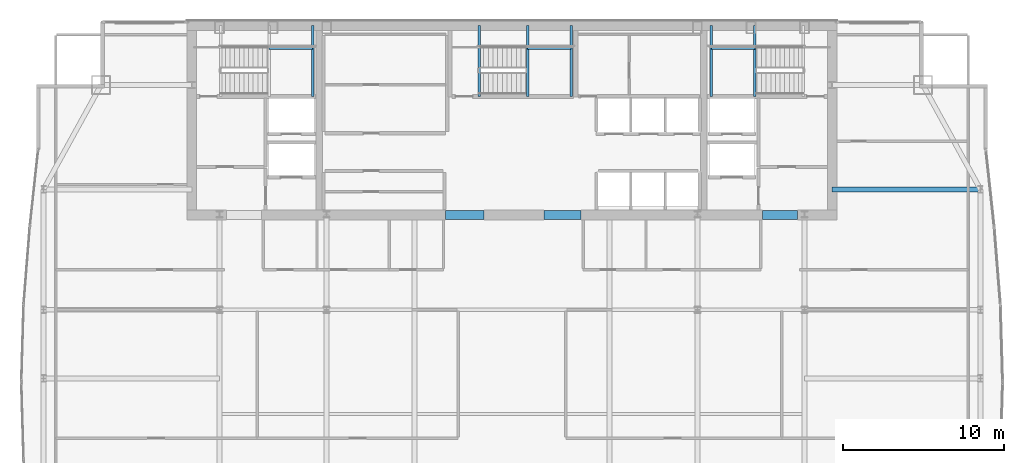
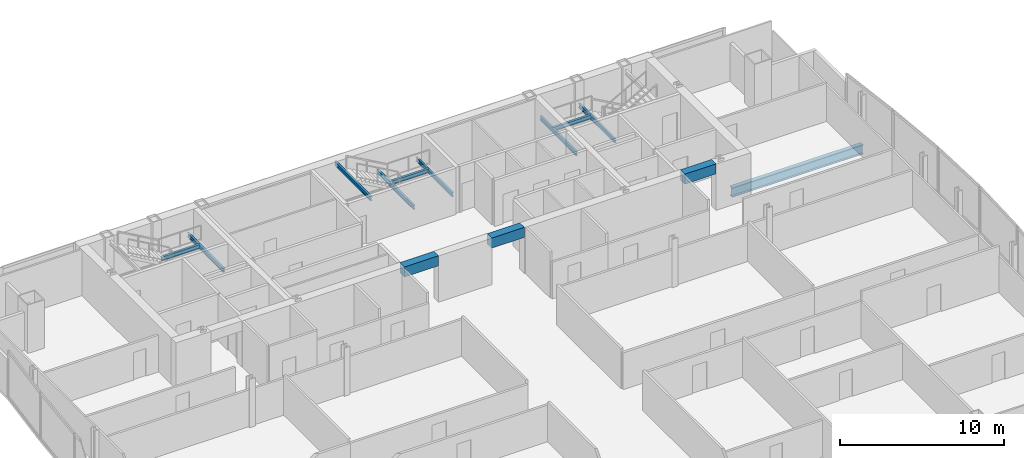
# One storey, part 24 of 32: 13 beams.
"""IFC4 building model written with IfcOpenShell, lengths in metres."""

from ifc_helpers import new_model, si_unit, direction, frame, origin, origin_2d, place, context, subcontext, project, spatial, rectangle, i_section, extrude, material, material_profile, profile_set, type_object, element, save


model = new_model("IFC4")

# Units and contexts
model_context = context("Model", 3, precision=1e-05, world=origin(), true_north=direction((0.0, 1.0)))
body_context = subcontext(model_context, "Body", "Model", "MODEL_VIEW")
ifc_project = project(units=[si_unit("LENGTHUNIT", "METRE"), si_unit("AREAUNIT", "SQUARE_METRE"), si_unit("VOLUMEUNIT", "CUBIC_METRE"), si_unit("PLANEANGLEUNIT", "RADIAN"), si_unit("MASSUNIT", "GRAM", prefix="KILO")], contexts=[model_context])

# Site, building, storey
site_placement = place(None, origin())
site = spatial("IfcSite", under=ifc_project, at=site_placement, CompositionType="ELEMENT")
building_placement = place(site_placement, origin())
building = spatial("IfcBuilding", under=site, at=building_placement, Name="Khoronbel Lancet Exchange", CompositionType="ELEMENT")
storey_placement = place(building_placement, frame((0.0, 0.0, 192.199951171875)))
storey = spatial("IfcBuildingStorey", under=building, at=storey_placement, Name="L48", CompositionType="ELEMENT", Elevation=192.199951171875)

# Beams
ifc_material_1 = material(Name="Steel S355", Category="steel")
ifc_material_profile_1 = material_profile(ifc_material_1, i_section(OverallWidth=0.300048828125, OverallDepth=0.699951171875, WebThickness=0.01708984375, FlangeThickness=0.031982421875, at=origin_2d()), Name="HEB 700")
ifc_profile_set_1 = profile_set([ifc_material_profile_1], Name="Steel S355")
beam_type_1 = type_object("IfcBeamType", Name="BM-BG3", PredefinedType="BEAM", material=ifc_profile_set_1)
beam_1_placement = place(storey_placement, frame((56.39990234375, 43.199951171875, -0.510009765625), z_axis=(1.0, 0.0, 0.0), x_axis=(0.0, 1.0, 0.0)))
element("IfcBeam", 1, at=beam_1_placement, inside=storey, type_object=beam_type_1, Name="Level L48 east lens tie girder LG3E", PredefinedType="BEAM", context=body_context, shape_type="SweptSolid", body=[
    extrude(i_section(OverallWidth=0.300048828125, OverallDepth=0.699951171875, WebThickness=0.01708984375, FlangeThickness=0.031982421875, at=origin_2d()), origin(), (0.0, 0.0, 1.0), 9.22998046875),
])
ifc_material_profile_2 = material_profile(ifc_material_1, i_section(OverallWidth=0.14990234375, OverallDepth=0.300048828125, WebThickness=0.007080078125, FlangeThickness=0.0107421875, at=origin_2d()), Name="IPE 300")
ifc_profile_set_2 = profile_set([ifc_material_profile_2], Name="Steel S355")
beam_type_2 = type_object("IfcBeamType", Name="BM-BJ8", PredefinedType="JOIST", material=ifc_profile_set_2)
beam_2_placement = place(storey_placement, frame((24.030029296875, 48.97998046875, 1.449951171875), z_axis=(0.0, 1.0, 0.0), x_axis=(-1.0, 0.0, 0.0)))
element("IfcBeam", 2, at=beam_2_placement, inside=storey, type_object=beam_type_2, Name="Level L48 stair ST1 rear landing bearer beam 1", PredefinedType="JOIST", context=body_context, shape_type="SweptSolid", body=[
    extrude(i_section(OverallWidth=0.14990234375, OverallDepth=0.300048828125, WebThickness=0.007080078125, FlangeThickness=0.0107421875, at=origin_2d()), origin(), (0.0, 0.0, 1.0), 4.419921875),
])
beam_3_placement = place(storey_placement, frame((21.320068359375, 51.97998046875, 1.449951171875), z_axis=(1.0, 0.0, 0.0), x_axis=(0.0, 1.0, 0.0)))
element("IfcBeam", 3, at=beam_3_placement, inside=storey, type_object=beam_type_2, Name="Level L48 stair ST1 landing cross trimmer beam 1", PredefinedType="JOIST", context=body_context, shape_type="SweptSolid", body=[
    extrude(i_section(OverallWidth=0.14990234375, OverallDepth=0.300048828125, WebThickness=0.007080078125, FlangeThickness=0.0107421875, at=origin_2d()), origin(), (0.0, 0.0, 1.0), 2.7099609375),
])
for number, where, z_axis, x_axis, name in (
    (4, (51.580078125, 48.97998046875, 1.449951171875), (0.0, 1.0, 0.0), (-1.0, 0.0, 0.0), "Level L48 stair ST2 landing bearer beam 1"),
    (5, (48.8701171875, 48.97998046875, 1.449951171875), (0.0, 1.0, 0.0), (-1.0, 0.0, 0.0), "Level L48 stair ST2 rear landing bearer beam 1"),
):
    element("IfcBeam", number, at=place(storey_placement, frame(where, z_axis=z_axis, x_axis=x_axis)), inside=storey, type_object=beam_type_2, Name=name, PredefinedType="JOIST", context=body_context, shape_type="SweptSolid", body=[
        extrude(i_section(OverallWidth=0.14990234375, OverallDepth=0.300048828125, WebThickness=0.007080078125, FlangeThickness=0.0107421875, at=origin_2d()), origin(), (0.0, 0.0, 1.0), 4.419921875),
    ])
beam_4_placement = place(storey_placement, frame((48.8701171875, 51.97998046875, 1.449951171875), z_axis=(1.0, 0.0, 0.0), x_axis=(0.0, 1.0, 0.0)))
element("IfcBeam", 6, at=beam_4_placement, inside=storey, type_object=beam_type_2, Name="Level L48 stair ST2 landing cross trimmer beam 1", PredefinedType="JOIST", context=body_context, shape_type="SweptSolid", body=[
    extrude(i_section(OverallWidth=0.14990234375, OverallDepth=0.300048828125, WebThickness=0.007080078125, FlangeThickness=0.0107421875, at=origin_2d()), origin(), (0.0, 0.0, 1.0), 2.7099609375),
])
for number, where, z_axis, x_axis, name in (
    (7, (37.419921875, 48.97998046875, 1.449951171875), (0.0, 1.0, 0.0), (-1.0, 0.0, 0.0), "Level L48 stair ST3 landing bearer beam 1"),
    (8, (40.1298828125, 48.97998046875, 1.449951171875), (0.0, 1.0, 0.0), (-1.0, 0.0, 0.0), "Level L48 stair ST3 rear landing bearer beam 1"),
):
    element("IfcBeam", number, at=place(storey_placement, frame(where, z_axis=z_axis, x_axis=x_axis)), inside=storey, type_object=beam_type_2, Name=name, PredefinedType="JOIST", context=body_context, shape_type="SweptSolid", body=[
        extrude(i_section(OverallWidth=0.14990234375, OverallDepth=0.300048828125, WebThickness=0.007080078125, FlangeThickness=0.0107421875, at=origin_2d()), origin(), (0.0, 0.0, 1.0), 4.419921875),
    ])
beam_5_placement = place(storey_placement, frame((37.419921875, 51.97998046875, 1.449951171875), z_axis=(1.0, 0.0, 0.0), x_axis=(0.0, 1.0, 0.0)))
element("IfcBeam", 9, at=beam_5_placement, inside=storey, type_object=beam_type_2, Name="Level L48 stair ST3 landing cross trimmer beam 1", PredefinedType="JOIST", context=body_context, shape_type="SweptSolid", body=[
    extrude(i_section(OverallWidth=0.14990234375, OverallDepth=0.300048828125, WebThickness=0.007080078125, FlangeThickness=0.0107421875, at=origin_2d()), origin(), (0.0, 0.0, 1.0), 2.7099609375),
])
beam_6_placement = place(storey_placement, frame((34.39990234375, 48.97998046875, 3.16015625), z_axis=(0.0, 1.0, 0.0), x_axis=(-1.0, 0.0, 0.0)))
element("IfcBeam", 10, at=beam_6_placement, inside=storey, type_object=beam_type_2, Name="Level L48 stair ST3 upper-flight arrival trimmer beam", PredefinedType="JOIST", context=body_context, shape_type="SweptSolid", body=[
    extrude(i_section(OverallWidth=0.14990234375, OverallDepth=0.300048828125, WebThickness=0.007080078125, FlangeThickness=0.0107421875, at=origin_2d()), origin(), (0.0, 0.0, 1.0), 4.419921875),
])
ifc_material_2 = material(Name="Concrete C60/75", Category="concrete")
ifc_material_profile_3 = material_profile(ifc_material_2, rectangle(XDim=0.550048828125, YDim=0.75, at=origin_2d()), Name="RC 550x750")
ifc_profile_set_3 = profile_set([ifc_material_profile_3], Name="Concrete C60/75")
beam_type_3 = type_object("IfcBeamType", Name="BM-BL2", PredefinedType="LINTEL", material=ifc_profile_set_3)
beam_7_placement = place(storey_placement, frame((32.300048828125, 41.60009765625, 3.06494140625), z_axis=(1.0, 0.0, 0.0), x_axis=(0.0, 1.0, 0.0)))
element("IfcBeam", 11, at=beam_7_placement, inside=storey, type_object=beam_type_3, Name="Level L48 rear core coupling lintel L2", PredefinedType="LINTEL", context=body_context, shape_type="SweptSolid", body=[
    extrude(rectangle(XDim=0.550048828125, YDim=0.75, at=origin_2d()), origin(), (0.0, 0.0, 1.0), 2.39990234375),
])
beam_8_placement = place(storey_placement, frame((38.449951171875, 41.60009765625, 3.06494140625), z_axis=(1.0, 0.0, 0.0), x_axis=(0.0, 1.0, 0.0)))
element("IfcBeam", 12, at=beam_8_placement, inside=storey, type_object=beam_type_3, Name="Level L48 rear core coupling lintel L3", PredefinedType="LINTEL", context=body_context, shape_type="SweptSolid", body=[
    extrude(rectangle(XDim=0.550048828125, YDim=0.75, at=origin_2d()), origin(), (0.0, 0.0, 1.0), 2.300048828125),
])
beam_9_placement = place(storey_placement, frame((52.050048828125, 41.60009765625, 3.06494140625), z_axis=(1.0, 0.0, 0.0), x_axis=(0.0, 1.0, 0.0)))
element("IfcBeam", 13, at=beam_9_placement, inside=storey, type_object=beam_type_3, Name="Level L48 rear core coupling lintel L4", PredefinedType="LINTEL", context=body_context, shape_type="SweptSolid", body=[
    extrude(rectangle(XDim=0.550048828125, YDim=0.75, at=origin_2d()), origin(), (0.0, 0.0, 1.0), 2.199951171875),
])

save(model, "model.ifc")
